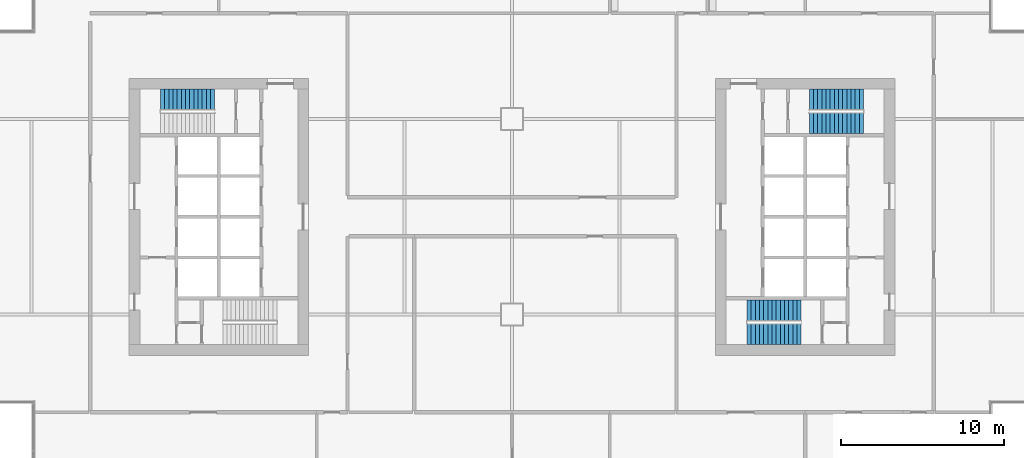
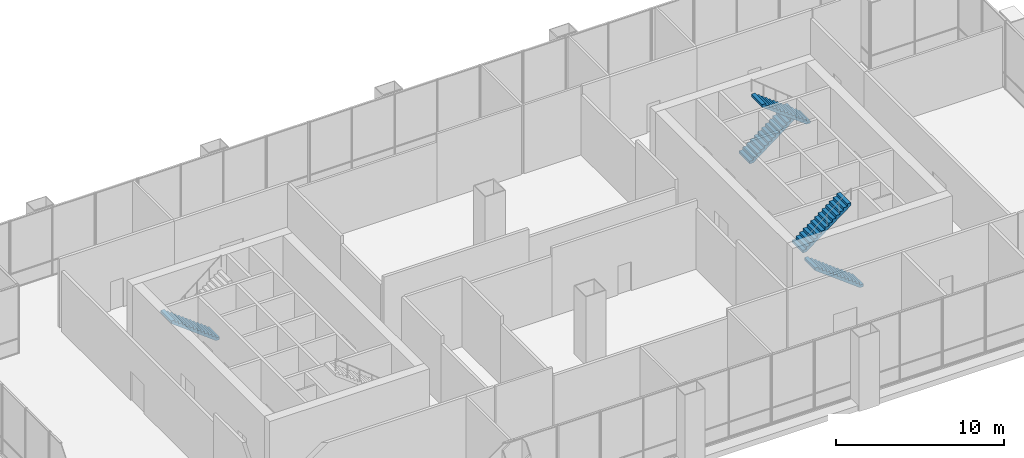
# One storey, part 18 of 20: 5 stair flights, 3 elements without a shape of their own.
"""IFC4 building model written with IfcOpenShell, lengths in metres."""

from ifc_helpers import new_model, si_unit, direction, frame, origin, place, context, subcontext, project, spatial, polyline, outline, extrude, material, type_object, element, aggregate, save


model = new_model("IFC4")

# Units and contexts
model_context = context("Model", 3, precision=1e-05, world=origin(), true_north=direction((0.0, 1.0)))
body_context = subcontext(model_context, "Body", "Model", "MODEL_VIEW")
ifc_project = project(units=[si_unit("LENGTHUNIT", "METRE"), si_unit("AREAUNIT", "SQUARE_METRE"), si_unit("VOLUMEUNIT", "CUBIC_METRE"), si_unit("PLANEANGLEUNIT", "RADIAN"), si_unit("MASSUNIT", "GRAM", prefix="KILO")], contexts=[model_context])

# Site, building, storey
site_placement = place(None, origin())
site = spatial("IfcSite", under=ifc_project, at=site_placement, CompositionType="ELEMENT")
building_placement = place(site_placement, origin())
building = spatial("IfcBuilding", under=site, at=building_placement, Name="Kitamizu Gate Tower and Museum", CompositionType="ELEMENT")
storey_placement = place(building_placement, frame((0.0, 0.0, 148.35009765625)))
storey = spatial("IfcBuildingStorey", under=building, at=storey_placement, Name="L39", CompositionType="ELEMENT", Elevation=148.35009765625)

# Stair, stair flight
ifc_material_1 = material(Name="Concrete Fc42", Category="concrete")
stair_type = type_object("IfcStairType", Name="Exit stair 1275 wide 193 rise 256 going", PredefinedType="HALF_TURN_STAIR", material=ifc_material_1)
stair_1_placement = place(storey_placement, origin())
stair_1 = element("IfcStair", 1, at=stair_1_placement, inside=storey, type_object=stair_type, Name="Exit stair ST2", PredefinedType="HALF_TURN_STAIR")
ifc_material_2 = material(Name="Concrete Fc42", Category="concrete")
stair_flight_type = type_object("IfcStairFlightType", Name="Stair flight 1275 wide 193 rise 256 going", PredefinedType="STRAIGHT", material=ifc_material_2)
stair_flight_1_placement = place(storey_placement, frame((17.75, 37.21240234375, 0.0), z_axis=(0.0, 0.0, 1.0), x_axis=(-1.0, 0.0, 0.0)))
stair_flight_1 = element("IfcStairFlight", 2, at=stair_flight_1_placement, type_object=stair_flight_type, Name="ST2 flight 1", NumberOfRisers=14, NumberOfTreads=13, PredefinedType="STRAIGHT", RiserHeight=0.192857143, TreadLength=0.255769231, context=body_context, shape_type="SweptSolid", body=[
    extrude(outline(polyline([(0.0, 0.0), (0.0, 0.19287109375), (0.255859375, 0.19287109375), (0.255859375, 0.3857421875), (0.511474609375, 0.3857421875), (0.511474609375, 0.57861328125), (0.767333984375, 0.57861328125), (0.767333984375, 0.771484375), (1.023193359375, 0.771484375), (1.023193359375, 0.96435546875), (1.27880859375, 0.96435546875), (1.27880859375, 1.1572265625), (1.53466796875, 1.1572265625), (1.53466796875, 1.35009765625), (1.790283203125, 1.35009765625), (1.790283203125, 1.54296875), (2.046142578125, 1.54296875), (2.046142578125, 1.735595703125), (2.302001953125, 1.735595703125), (2.302001953125, 1.928466796875), (2.5576171875, 1.928466796875), (2.5576171875, 2.121337890625), (2.8134765625, 2.121337890625), (2.8134765625, 2.314208984375), (3.0693359375, 2.314208984375), (3.0693359375, 2.507080078125), (3.324951171875, 2.507080078125), (3.324951171875, 2.699951171875), (3.324951171875, 2.3193359375), (0.2490234375, 0.0), (0.0, 0.0)])), frame((0.0, 0.637451171875, 0.0), z_axis=(0.0, -1.0, 0.0), x_axis=(1.0, 0.0, 0.0)), (0.0, 0.0, 1.0), 1.27490234375),
])
aggregate(stair_1, [stair_flight_1])

# Stair, stair flights
stair_2_placement = place(storey_placement, origin())
stair_2 = element("IfcStair", 3, at=stair_2_placement, inside=storey, type_object=stair_type, Name="Exit stair ST3", PredefinedType="HALF_TURN_STAIR")
stair_flight_2_placement = place(storey_placement, frame((53.75, 22.78759765625, 0.0), z_axis=(0.0, 0.0, 1.0), x_axis=(-1.0, 0.0, 0.0)))
stair_flight_2 = element("IfcStairFlight", 4, at=stair_flight_2_placement, type_object=stair_flight_type, Name="ST3 flight 1", NumberOfRisers=14, NumberOfTreads=13, PredefinedType="STRAIGHT", RiserHeight=0.192857143, TreadLength=0.255769231, context=body_context, shape_type="SweptSolid", body=[
    extrude(outline(polyline([(0.0, 0.0), (0.0, 0.19287109375), (0.255859375, 0.19287109375), (0.255859375, 0.3857421875), (0.511474609375, 0.3857421875), (0.511474609375, 0.57861328125), (0.767333984375, 0.57861328125), (0.767333984375, 0.771484375), (1.023193359375, 0.771484375), (1.023193359375, 0.96435546875), (1.27880859375, 0.96435546875), (1.27880859375, 1.1572265625), (1.53466796875, 1.1572265625), (1.53466796875, 1.35009765625), (1.790283203125, 1.35009765625), (1.790283203125, 1.54296875), (2.046142578125, 1.54296875), (2.046142578125, 1.735595703125), (2.302001953125, 1.735595703125), (2.302001953125, 1.928466796875), (2.5576171875, 1.928466796875), (2.5576171875, 2.121337890625), (2.8134765625, 2.121337890625), (2.8134765625, 2.314208984375), (3.0693359375, 2.314208984375), (3.0693359375, 2.507080078125), (3.324951171875, 2.507080078125), (3.324951171875, 2.699951171875), (3.324951171875, 2.3193359375), (0.2490234375, 0.0), (0.0, 0.0)])), frame((0.0, 0.637451171875, 0.0), z_axis=(0.0, -1.0, 0.0), x_axis=(1.0, 0.0, 0.0)), (0.0, 0.0, 1.0), 1.27490234375),
])
stair_flight_3_placement = place(storey_placement, frame((50.425048828125, 24.262451171875, 2.699951171875), z_axis=(0.0, 0.0, 1.0), x_axis=(1.0, 0.0, 0.0)))
stair_flight_3 = element("IfcStairFlight", 5, at=stair_flight_3_placement, type_object=stair_flight_type, Name="ST3 flight 2", NumberOfRisers=14, NumberOfTreads=13, PredefinedType="STRAIGHT", RiserHeight=0.192857143, TreadLength=0.255769231, context=body_context, shape_type="SweptSolid", body=[
    extrude(outline(polyline([(0.0, 0.0), (0.0, 0.19287109375), (0.255859375, 0.19287109375), (0.255859375, 0.3857421875), (0.511474609375, 0.3857421875), (0.511474609375, 0.57861328125), (0.767333984375, 0.57861328125), (0.767333984375, 0.771484375), (1.023193359375, 0.771484375), (1.023193359375, 0.96435546875), (1.27880859375, 0.96435546875), (1.27880859375, 1.1572265625), (1.53466796875, 1.1572265625), (1.53466796875, 1.35009765625), (1.790283203125, 1.35009765625), (1.790283203125, 1.54296875), (2.046142578125, 1.54296875), (2.046142578125, 1.735595703125), (2.302001953125, 1.735595703125), (2.302001953125, 1.928466796875), (2.5576171875, 1.928466796875), (2.5576171875, 2.121337890625), (2.8134765625, 2.121337890625), (2.8134765625, 2.314208984375), (3.0693359375, 2.314208984375), (3.0693359375, 2.507080078125), (3.324951171875, 2.507080078125), (3.324951171875, 2.699951171875), (3.324951171875, 2.3193359375), (0.2490234375, 0.0), (0.0, 0.0)])), frame((0.0, 0.637451171875, 0.0), z_axis=(0.0, -1.0, 0.0), x_axis=(1.0, 0.0, 0.0)), (0.0, 0.0, 1.0), 1.27490234375),
])
aggregate(stair_2, [stair_flight_2, stair_flight_3])

stair_3_placement = place(storey_placement, origin())
stair_3 = element("IfcStair", 6, at=stair_3_placement, inside=storey, type_object=stair_type, Name="Exit stair ST4", PredefinedType="HALF_TURN_STAIR")
stair_flight_4_placement = place(storey_placement, frame((54.25, 37.21240234375, 0.0), z_axis=(0.0, 0.0, 1.0), x_axis=(1.0, 0.0, 0.0)))
stair_flight_4 = element("IfcStairFlight", 7, at=stair_flight_4_placement, type_object=stair_flight_type, Name="ST4 flight 1", NumberOfRisers=14, NumberOfTreads=13, PredefinedType="STRAIGHT", RiserHeight=0.192857143, TreadLength=0.255769231, context=body_context, shape_type="SweptSolid", body=[
    extrude(outline(polyline([(0.0, 0.0), (0.0, 0.19287109375), (0.255859375, 0.19287109375), (0.255859375, 0.3857421875), (0.511474609375, 0.3857421875), (0.511474609375, 0.57861328125), (0.767333984375, 0.57861328125), (0.767333984375, 0.771484375), (1.023193359375, 0.771484375), (1.023193359375, 0.96435546875), (1.27880859375, 0.96435546875), (1.27880859375, 1.1572265625), (1.53466796875, 1.1572265625), (1.53466796875, 1.35009765625), (1.790283203125, 1.35009765625), (1.790283203125, 1.54296875), (2.046142578125, 1.54296875), (2.046142578125, 1.735595703125), (2.302001953125, 1.735595703125), (2.302001953125, 1.928466796875), (2.5576171875, 1.928466796875), (2.5576171875, 2.121337890625), (2.8134765625, 2.121337890625), (2.8134765625, 2.314208984375), (3.0693359375, 2.314208984375), (3.0693359375, 2.507080078125), (3.324951171875, 2.507080078125), (3.324951171875, 2.699951171875), (3.324951171875, 2.3193359375), (0.2490234375, 0.0), (0.0, 0.0)])), frame((0.0, 0.637451171875, 0.0), z_axis=(0.0, -1.0, 0.0), x_axis=(1.0, 0.0, 0.0)), (0.0, 0.0, 1.0), 1.27490234375),
])
stair_flight_5_placement = place(storey_placement, frame((57.574951171875, 35.737548828125, 2.699951171875), z_axis=(0.0, 0.0, 1.0), x_axis=(-1.0, 0.0, 0.0)))
stair_flight_5 = element("IfcStairFlight", 8, at=stair_flight_5_placement, type_object=stair_flight_type, Name="ST4 flight 2", NumberOfRisers=14, NumberOfTreads=13, PredefinedType="STRAIGHT", RiserHeight=0.192857143, TreadLength=0.255769231, context=body_context, shape_type="SweptSolid", body=[
    extrude(outline(polyline([(0.0, 0.0), (0.0, 0.19287109375), (0.255859375, 0.19287109375), (0.255859375, 0.3857421875), (0.511474609375, 0.3857421875), (0.511474609375, 0.57861328125), (0.767333984375, 0.57861328125), (0.767333984375, 0.771484375), (1.023193359375, 0.771484375), (1.023193359375, 0.96435546875), (1.27880859375, 0.96435546875), (1.27880859375, 1.1572265625), (1.53466796875, 1.1572265625), (1.53466796875, 1.35009765625), (1.790283203125, 1.35009765625), (1.790283203125, 1.54296875), (2.046142578125, 1.54296875), (2.046142578125, 1.735595703125), (2.302001953125, 1.735595703125), (2.302001953125, 1.928466796875), (2.5576171875, 1.928466796875), (2.5576171875, 2.121337890625), (2.8134765625, 2.121337890625), (2.8134765625, 2.314208984375), (3.0693359375, 2.314208984375), (3.0693359375, 2.507080078125), (3.324951171875, 2.507080078125), (3.324951171875, 2.699951171875), (3.324951171875, 2.3193359375), (0.2490234375, 0.0), (0.0, 0.0)])), frame((0.0, 0.637451171875, 0.0), z_axis=(0.0, -1.0, 0.0), x_axis=(1.0, 0.0, 0.0)), (0.0, 0.0, 1.0), 1.27490234375),
])
aggregate(stair_3, [stair_flight_4, stair_flight_5])

save(model, "model.ifc")
